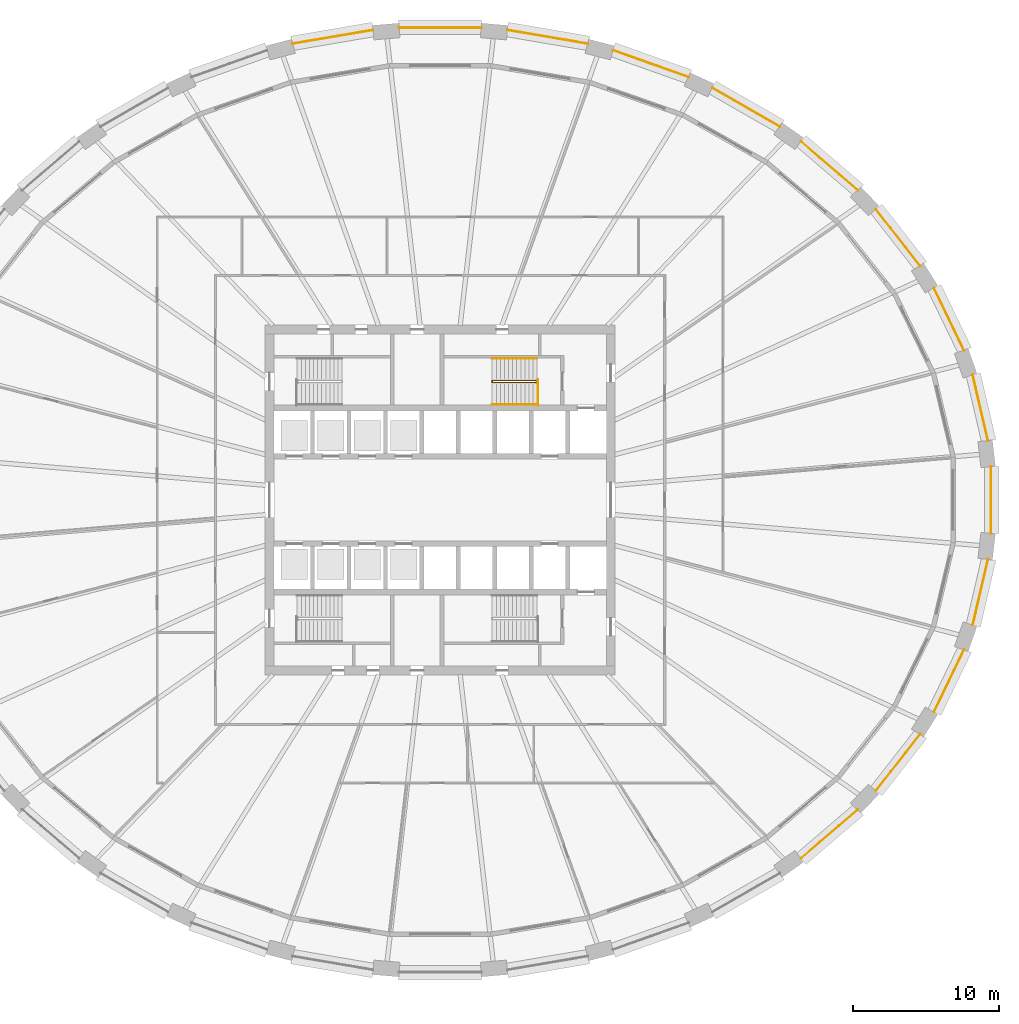
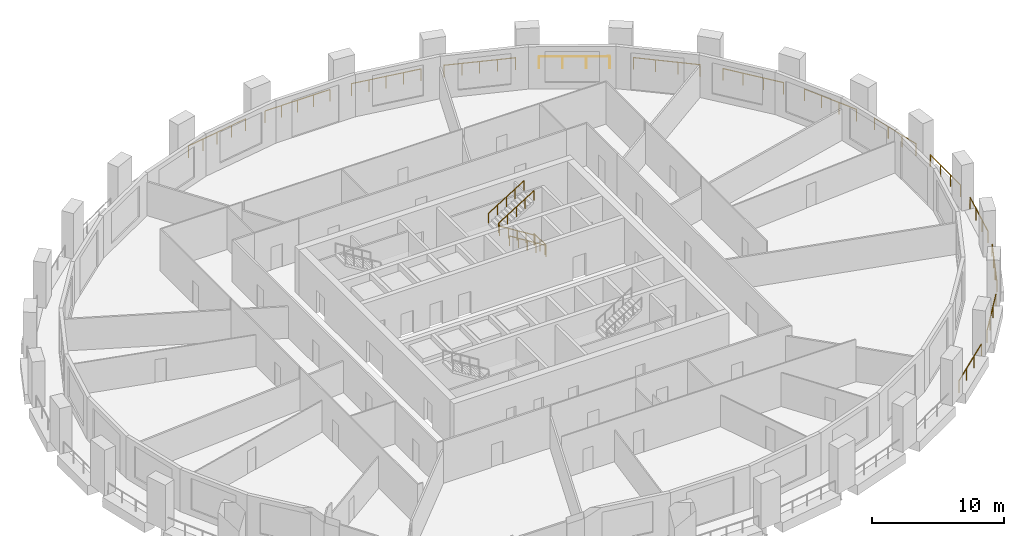
# One storey, part 11 of 12: 18 railings.
"""IFC4 building model written with IfcOpenShell, lengths in metres."""

import ifcopenshell
import ifcopenshell.guid

model = None  # the IFC model being written
_history = None  # IfcOwnerHistory: only IFC2X3 demands one
_inside = {}  # id of a spatial element -> (the spatial element, [elements in it])
_under = {}  # id of a project, library or spatial element -> (it, [spatial elements below it])
_declared = {}  # id of a project -> (the project, [libraries it declares])
_typed = {}  # id of a type object -> (the type object, [elements of that type])
_made_of = {}  # id of a material, layer set ... -> (it, [elements and type objects made of it])


def new_model(schema):
    """Start an empty IFC model of exactly this schema.

    Asked for "IFC4X3", IfcOpenShell would pick the latest addendum, in which some entities
    have other attributes; the version numbers below select the first issue.
    IFC2X3 requires an IfcOwnerHistory on every rooted entity: one is made here for all.
    """
    global model, _history
    if schema == "IFC4X3":
        model = ifcopenshell.file(schema_version=(4, 3, 0, 0))
    else:
        model = ifcopenshell.file(schema=schema)
    _inside.clear()
    _under.clear()
    _declared.clear()
    _typed.clear()
    _made_of.clear()
    _history = None
    if model.schema == "IFC2X3":
        org = make("IfcOrganization", Name="unknown")
        user = make(
            "IfcPersonAndOrganization",
            ThePerson=make("IfcPerson", FamilyName="unknown"),
            TheOrganization=org,
        )
        app = make(
            "IfcApplication",
            ApplicationDeveloper=org,
            Version="unknown",
            ApplicationFullName="unknown",
            ApplicationIdentifier="unknown",
        )
        _history = make(
            "IfcOwnerHistory",
            OwningUser=user,
            OwningApplication=app,
            ChangeAction="ADDED",
            CreationDate=0,
        )
    return model


def make(cls, **values):
    """One entity of the class cls with the attributes given. An attribute that is None is left unset."""
    return model.create_entity(
        cls, **{name: value for name, value in values.items() if value is not None}
    )


def rooted(cls, **values):
    """An entity with a GlobalId (a new one), such as an element, a storey or a relation."""
    return make(cls, GlobalId=ifcopenshell.guid.new(), OwnerHistory=_history, **values)


def si_unit(unit_type, name, prefix=None):
    """IfcSIUnit, for example si_unit("LENGTHUNIT", "METRE", prefix="MILLI")."""
    return make("IfcSIUnit", UnitType=unit_type, Prefix=prefix, Name=name)


def assignment(units):
    """IfcUnitAssignment: the units of a project."""
    return None if units is None else make("IfcUnitAssignment", Units=units)


def point(xyz):
    """IfcCartesianPoint."""
    return None if xyz is None else make("IfcCartesianPoint", Coordinates=xyz)


def direction(xyz):
    """IfcDirection."""
    return None if xyz is None else make("IfcDirection", DirectionRatios=xyz)


def frame(location, z_axis=None, x_axis=None):
    """IfcAxis2Placement3D, a coordinate frame: its origin and axes. An axis left out is left unset."""
    return make(
        "IfcAxis2Placement3D",
        Location=point(location),
        Axis=direction(z_axis),
        RefDirection=direction(x_axis),
    )


def frame_2d(location, x_axis=None):
    """IfcAxis2Placement2D, a coordinate frame in the plane: its origin and x axis."""
    return make(
        "IfcAxis2Placement2D", Location=point(location), RefDirection=direction(x_axis)
    )


def origin():
    """The frame at (0, 0, 0) with its axes left unset."""
    return frame((0.0, 0.0, 0.0))


def origin_2d():
    """The frame at (0, 0) in the plane with its x axis left unset."""
    return frame_2d((0.0, 0.0))


def place(relative_to, where):
    """IfcLocalPlacement: puts the frame where relative to a parent placement (None: the world)."""
    return make(
        "IfcLocalPlacement", PlacementRelTo=relative_to, RelativePlacement=where
    )


def context(
    kind, dimensions, precision=None, world=None, true_north=None, identifier=None
):
    """IfcGeometricRepresentationContext, for example the 3D "Model" context."""
    return make(
        "IfcGeometricRepresentationContext",
        ContextIdentifier=identifier,
        ContextType=kind,
        CoordinateSpaceDimension=dimensions,
        Precision=precision,
        WorldCoordinateSystem=world,
        TrueNorth=true_north,
    )


def subcontext(parent, identifier, kind, view, scale=None):
    """IfcGeometricRepresentationSubContext, for example "Body" below "Model"."""
    return make(
        "IfcGeometricRepresentationSubContext",
        ContextIdentifier=identifier,
        ContextType=kind,
        ParentContext=parent,
        TargetScale=scale,
        TargetView=view,
    )


def project(units=None, contexts=None):
    """IfcProject with its units and contexts."""
    return rooted(
        "IfcProject",
        Name="project",
        RepresentationContexts=contexts,
        UnitsInContext=assignment(units),
    )


def spatial(cls, under=None, at=None, **own):
    """A site, building, storey or space (cls), placed at a placement, below another one or the project."""
    s = rooted(cls, ObjectPlacement=at, **own)
    if under is not None:
        _under.setdefault(under.id(), (under, []))[1].append(s)
    return s


def profile(cls, at=None, kind="AREA", **sizes):
    """A parametric profile (cls). Its sizes go by their IFC names, for example OverallWidth=200.0."""
    return make(cls, ProfileType=kind, Position=at, **sizes)


def circle(**sizes):
    """IfcCircleProfileDef."""
    return profile("IfcCircleProfileDef", **sizes)


def extrude(swept, where, along, depth):
    """IfcExtrudedAreaSolid: the profile swept, set in the frame where, extruded along a direction by depth."""
    return make(
        "IfcExtrudedAreaSolid",
        SweptArea=swept,
        Position=where,
        ExtrudedDirection=direction(along),
        Depth=depth,
    )


def shape(context_of_items, identifier, shape_type, items):
    """IfcShapeRepresentation: the items that make up one representation, for example the "Body"."""
    return make(
        "IfcShapeRepresentation",
        ContextOfItems=context_of_items,
        RepresentationIdentifier=identifier,
        RepresentationType=shape_type,
        Items=items,
    )


def material(Name=None, Category=None):
    """IfcMaterial."""
    return make("IfcMaterial", Name=Name, Category=Category)


def made_of(thing, what):
    """Note that an element or type object is made of a material, layer set ...; save() writes the relation."""
    if what is not None:
        _made_of.setdefault(what.id(), (what, []))[1].append(thing)
    return thing


def type_object(cls, material=None, **own):
    """A type object (cls), such as IfcWallType, which elements share."""
    return made_of(rooted(cls, **own), material)


def element(
    cls,
    number,
    at=None,
    inside=None,
    cuts=None,
    type_object=None,
    material=None,
    context=None,
    identifier="Body",
    shape_type=None,
    held_by="IfcProductDefinitionShape",
    body=None,
    shapes=None,
    **own,
):
    """One element of the class cls, such as IfcWall. Its Tag is "e" and its number.

    at: its placement. inside: the storey or other place that contains it. cuts: it is an
    opening in that element (IfcRelVoidsElement). A single representation is given by context,
    identifier, shape_type and body (its items); several are given by shapes. held_by: the class
    of the entity that holds the representations. save() writes the other relations.
    """
    e = rooted(cls, Tag="e%d" % number, ObjectPlacement=at, **own)
    if body is not None:
        shapes = [shape(context, identifier, shape_type, body)]
    if shapes is not None:
        e.Representation = make(held_by, Representations=shapes)
    if inside is not None:
        _inside.setdefault(inside.id(), (inside, []))[1].append(e)
    if cuts is not None:
        rooted(
            "IfcRelVoidsElement", RelatingBuildingElement=cuts, RelatedOpeningElement=e
        )
    if type_object is not None:
        _typed.setdefault(type_object.id(), (type_object, []))[1].append(e)
    return made_of(e, material)


def aggregate(whole, parts):
    """IfcRelAggregates: a whole, such as a stair, and the parts it consists of."""
    return rooted("IfcRelAggregates", RelatingObject=whole, RelatedObjects=parts)


def save(model, path):
    """Write the relations noted so far, then the file.

    IfcRelAggregates (storeys below a building ...), IfcRelContainedInSpatialStructure (elements
    in a storey), IfcRelDefinesByType, IfcRelAssociatesMaterial and IfcRelDeclares: one each for
    every whole, place, type object, material and project.
    """
    for whole, parts in _under.values():
        aggregate(whole, parts)
    for where, things in _inside.values():
        rooted(
            "IfcRelContainedInSpatialStructure",
            RelatedElements=things,
            RelatingStructure=where,
        )
    for kind, things in _typed.values():
        rooted("IfcRelDefinesByType", RelatedObjects=things, RelatingType=kind)
    for what, things in _made_of.values():
        rooted("IfcRelAssociatesMaterial", RelatedObjects=things, RelatingMaterial=what)
    for by, libraries in _declared.values():
        rooted("IfcRelDeclares", RelatingContext=by, RelatedDefinitions=libraries)
    model.write(path)


model = new_model("IFC4")

# Units and contexts
model_context = context("Model", 3, precision=1e-05, world=origin(), true_north=direction((0.0, 1.0)))
body_context = subcontext(model_context, "Body", "Model", "MODEL_VIEW")
ifc_project = project(units=[si_unit("LENGTHUNIT", "METRE"), si_unit("AREAUNIT", "SQUARE_METRE"), si_unit("VOLUMEUNIT", "CUBIC_METRE"), si_unit("PLANEANGLEUNIT", "RADIAN"), si_unit("MASSUNIT", "GRAM", prefix="KILO")], contexts=[model_context])

# Site, building, storey
site_placement = place(None, origin())
site = spatial("IfcSite", under=ifc_project, at=site_placement, CompositionType="ELEMENT")
building_placement = place(site_placement, origin())
building = spatial("IfcBuilding", under=site, at=building_placement, Name="Halqa Exchange Tower", CompositionType="ELEMENT")
storey_placement = place(building_placement, frame((0.0, 0.0, 31.89990234375)))
storey = spatial("IfcBuildingStorey", under=building, at=storey_placement, Name="L06", CompositionType="ELEMENT", Elevation=31.89990234375)

# Railings
ifc_material = material(Name="Stainless steel", Category="steel")
railing_type_1 = type_object("IfcRailingType", Name="Guard 1100 stainless steel", PredefinedType="GUARDRAIL", material=ifc_material)
railing_1_placement = place(storey_placement, frame((37.569091796875, 4.0654296875, 0.0)))
element("IfcRailing", 1, at=railing_1_placement, inside=storey, type_object=railing_type_1, Name="Loggia guard 1", PredefinedType="GUARDRAIL", context=body_context, shape_type="SweptSolid", body=[
    extrude(circle(Radius=0.02392578125, at=origin_2d()), frame((0.0, 0.0, 1.076171875), z_axis=(-0.226055410226, 0.974114444769, 0.0), x_axis=(-0.974114444769, -0.226055410226, 0.0)), (0.0, 0.0, 1.0), 4.621337890625),
    extrude(circle(Radius=0.02099609375, at=origin_2d()), origin(), (0.0, 0.0, 1.0), 1.052001953125),
    extrude(circle(Radius=0.02099609375, at=origin_2d()), frame((-0.34814453125, 1.50048828125, 0.0)), (0.0, 0.0, 1.0), 1.052001953125),
    extrude(circle(Radius=0.02099609375, at=origin_2d()), frame((-0.696533203125, 3.001220703125, 0.0)), (0.0, 0.0, 1.0), 1.052001953125),
    extrude(circle(Radius=0.02099609375, at=origin_2d()), frame((-1.044677734375, 4.501708984375, 0.0)), (0.0, 0.0, 1.0), 1.052001953125),
])
railing_2_placement = place(storey_placement, frame((35.92919921875, 10.254150390625, 0.0)))
element("IfcRailing", 2, at=railing_2_placement, inside=storey, type_object=railing_type_1, Name="Loggia guard 2", PredefinedType="GUARDRAIL", context=body_context, shape_type="SweptSolid", body=[
    extrude(circle(Radius=0.02392578125, at=origin_2d()), frame((0.0, 0.0, 1.076171875), z_axis=(-0.435110256582, 0.900377179085, 0.0), x_axis=(-0.900377179085, -0.435110256582, 0.0)), (0.0, 0.0, 1.0), 4.744140625),
    extrude(circle(Radius=0.02099609375, at=origin_2d()), origin(), (0.0, 0.0, 1.0), 1.052001953125),
    extrude(circle(Radius=0.02099609375, at=origin_2d()), frame((-0.68798828125, 1.423828125, 0.0)), (0.0, 0.0, 1.0), 1.052001953125),
    extrude(circle(Radius=0.02099609375, at=origin_2d()), frame((-1.376220703125, 2.84765625, 0.0)), (0.0, 0.0, 1.0), 1.052001953125),
    extrude(circle(Radius=0.02099609375, at=origin_2d()), frame((-2.064208984375, 4.271484375, 0.0)), (0.0, 0.0, 1.0), 1.052001953125),
])
railing_3_placement = place(storey_placement, frame((32.920166015625, 16.0458984375, 0.0)))
element("IfcRailing", 3, at=railing_3_placement, inside=storey, type_object=railing_type_1, Name="Loggia guard 3", PredefinedType="GUARDRAIL", context=body_context, shape_type="SweptSolid", body=[
    extrude(circle(Radius=0.02392578125, at=origin_2d()), frame((0.0, 0.0, 1.076171875), z_axis=(-0.614819052707, 0.788668201735, 0.0), x_axis=(-0.788668201735, -0.614819052707, 0.0)), (0.0, 0.0, 1.0), 4.923583984375),
    extrude(circle(Radius=0.02099609375, at=origin_2d()), origin(), (0.0, 0.0, 1.0), 1.052001953125),
    extrude(circle(Radius=0.02099609375, at=origin_2d()), frame((-1.009033203125, 1.29443359375, 0.0)), (0.0, 0.0, 1.0), 1.052001953125),
    extrude(circle(Radius=0.02099609375, at=origin_2d()), frame((-2.01806640625, 2.588623046875, 0.0)), (0.0, 0.0, 1.0), 1.052001953125),
    extrude(circle(Radius=0.02099609375, at=origin_2d()), frame((-3.027099609375, 3.883056640625, 0.0)), (0.0, 0.0, 1.0), 1.052001953125),
])
railing_4_placement = place(storey_placement, frame((28.656494140625, 21.224365234375, 0.0)))
element("IfcRailing", 4, at=railing_4_placement, inside=storey, type_object=railing_type_1, Name="Loggia guard 4", PredefinedType="GUARDRAIL", context=body_context, shape_type="SweptSolid", body=[
    extrude(circle(Radius=0.02392578125, at=origin_2d()), frame((0.0, 0.0, 1.076171875), z_axis=(-0.759280119309, 0.650763936019, 0.0), x_axis=(-0.650763936019, -0.759280119309, 0.0)), (0.0, 0.0, 1.0), 5.129638671875),
    extrude(circle(Radius=0.02099609375, at=origin_2d()), origin(), (0.0, 0.0, 1.0), 1.052001953125),
    extrude(circle(Radius=0.02099609375, at=origin_2d()), frame((-1.29833984375, 1.11279296875, 0.0)), (0.0, 0.0, 1.0), 1.052001953125),
    extrude(circle(Radius=0.02099609375, at=origin_2d()), frame((-2.596435546875, 2.225341796875, 0.0)), (0.0, 0.0, 1.0), 1.052001953125),
    extrude(circle(Radius=0.02099609375, at=origin_2d()), frame((-3.894775390625, 3.338134765625, 0.0)), (0.0, 0.0, 1.0), 1.052001953125),
])
railing_5_placement = place(storey_placement, frame((23.297607421875, 25.595703125, 0.0)))
element("IfcRailing", 5, at=railing_5_placement, inside=storey, type_object=railing_type_1, Name="Loggia guard 5", PredefinedType="GUARDRAIL", context=body_context, shape_type="SweptSolid", body=[
    extrude(circle(Radius=0.02392578125, at=origin_2d()), frame((0.0, 0.0, 1.076171875), z_axis=(-0.867769121882, 0.496967555389, 0.0), x_axis=(-0.496967555389, -0.867769121882, 0.0)), (0.0, 0.0, 1.0), 5.3291015625),
    extrude(circle(Radius=0.02099609375, at=origin_2d()), origin(), (0.0, 0.0, 1.0), 1.052001953125),
    extrude(circle(Radius=0.02099609375, at=origin_2d()), frame((-1.54150390625, 0.8828125, 0.0)), (0.0, 0.0, 1.0), 1.052001953125),
    extrude(circle(Radius=0.02099609375, at=origin_2d()), frame((-3.0830078125, 1.765625, 0.0)), (0.0, 0.0, 1.0), 1.052001953125),
    extrude(circle(Radius=0.02099609375, at=origin_2d()), frame((-4.62451171875, 2.6484375, 0.0)), (0.0, 0.0, 1.0), 1.052001953125),
])
railing_6_placement = place(storey_placement, frame((17.043701171875, 28.99267578125, 0.0)))
element("IfcRailing", 6, at=railing_6_placement, inside=storey, type_object=railing_type_1, Name="Loggia guard 6", PredefinedType="GUARDRAIL", context=body_context, shape_type="SweptSolid", body=[
    extrude(circle(Radius=0.02392578125, at=origin_2d()), frame((0.0, 0.0, 1.076171875), z_axis=(-0.942363581705, 0.334590615345, 0.0), x_axis=(-0.334590615345, -0.942363581705, 0.0)), (0.0, 0.0, 1.0), 5.494384765625),
    extrude(circle(Radius=0.02099609375, at=origin_2d()), origin(), (0.0, 0.0, 1.0), 1.052001953125),
    extrude(circle(Radius=0.02099609375, at=origin_2d()), frame((-1.29443359375, 0.45947265625, 0.0)), (0.0, 0.0, 1.0), 1.052001953125),
    extrude(circle(Radius=0.02099609375, at=origin_2d()), frame((-2.5888671875, 0.919189453125, 0.0)), (0.0, 0.0, 1.0), 1.052001953125),
    extrude(circle(Radius=0.02099609375, at=origin_2d()), frame((-3.88330078125, 1.37890625, 0.0)), (0.0, 0.0, 1.0), 1.052001953125),
    extrude(circle(Radius=0.02099609375, at=origin_2d()), frame((-5.177734375, 1.83837890625, 0.0)), (0.0, 0.0, 1.0), 1.052001953125),
])
railing_7_placement = place(storey_placement, frame((10.130615234375, 31.283447265625, 0.0)))
element("IfcRailing", 7, at=railing_7_placement, inside=storey, type_object=railing_type_1, Name="Loggia guard 7", PredefinedType="GUARDRAIL", context=body_context, shape_type="SweptSolid", body=[
    extrude(circle(Radius=0.02392578125, at=origin_2d()), frame((0.0, 0.0, 1.076171875), z_axis=(-0.985775892081, 0.168065137946, 0.0), x_axis=(-0.168065137946, -0.985775892081, 0.0)), (0.0, 0.0, 1.0), 5.602783203125),
    extrude(circle(Radius=0.02099609375, at=origin_2d()), origin(), (0.0, 0.0, 1.0), 1.052001953125),
    extrude(circle(Radius=0.02099609375, at=origin_2d()), frame((-1.380859375, 0.2353515625, 0.0)), (0.0, 0.0, 1.0), 1.052001953125),
    extrude(circle(Radius=0.02099609375, at=origin_2d()), frame((-2.76171875, 0.470703125, 0.0)), (0.0, 0.0, 1.0), 1.052001953125),
    extrude(circle(Radius=0.02099609375, at=origin_2d()), frame((-4.142333984375, 0.706298828125, 0.0)), (0.0, 0.0, 1.0), 1.052001953125),
    extrude(circle(Radius=0.02099609375, at=origin_2d()), frame((-5.523193359375, 0.941650390625, 0.0)), (0.0, 0.0, 1.0), 1.052001953125),
])
railing_8_placement = place(storey_placement, frame((2.8203125, 32.37646484375, 0.0)))
element("IfcRailing", 8, at=railing_8_placement, inside=storey, type_object=railing_type_1, Name="Loggia guard 8", PredefinedType="GUARDRAIL", context=body_context, shape_type="SweptSolid", body=[
    extrude(circle(Radius=0.02392578125, at=origin_2d()), frame((0.0, 0.0, 1.076171875), z_axis=(-1.0, 0.0, 0.0), x_axis=(0.0, -1.0, 0.0)), (0.0, 0.0, 1.0), 5.640625),
    extrude(circle(Radius=0.02099609375, at=origin_2d()), origin(), (0.0, 0.0, 1.0), 1.052001953125),
    extrude(circle(Radius=0.02099609375, at=origin_2d()), frame((-1.41015625, 0.0, 0.0)), (0.0, 0.0, 1.0), 1.052001953125),
    extrude(circle(Radius=0.02099609375, at=origin_2d()), frame((-2.8203125, 0.0, 0.0)), (0.0, 0.0, 1.0), 1.052001953125),
    extrude(circle(Radius=0.02099609375, at=origin_2d()), frame((-4.23046875, 0.0, 0.0)), (0.0, 0.0, 1.0), 1.052001953125),
    extrude(circle(Radius=0.02099609375, at=origin_2d()), frame((-5.640625, 0.0, 0.0)), (0.0, 0.0, 1.0), 1.052001953125),
])
railing_9_placement = place(storey_placement, frame((-4.607421875, 32.22509765625, 0.0)))
element("IfcRailing", 9, at=railing_9_placement, inside=storey, type_object=railing_type_1, Name="Loggia guard 9", PredefinedType="GUARDRAIL", context=body_context, shape_type="SweptSolid", body=[
    extrude(circle(Radius=0.02392578125, at=origin_2d()), frame((0.0, 0.0, 1.076171875), z_axis=(-0.985775892081, -0.168065137946, 0.0), x_axis=(0.168065137946, -0.985775892081, 0.0)), (0.0, 0.0, 1.0), 5.602783203125),
    extrude(circle(Radius=0.02099609375, at=origin_2d()), origin(), (0.0, 0.0, 1.0), 1.052001953125),
    extrude(circle(Radius=0.02099609375, at=origin_2d()), frame((-1.380859375, -0.2353515625, 0.0)), (0.0, 0.0, 1.0), 1.052001953125),
    extrude(circle(Radius=0.02099609375, at=origin_2d()), frame((-2.76171875, -0.470703125, 0.0)), (0.0, 0.0, 1.0), 1.052001953125),
    extrude(circle(Radius=0.02099609375, at=origin_2d()), frame((-4.142333984375, -0.706298828125, 0.0)), (0.0, 0.0, 1.0), 1.052001953125),
    extrude(circle(Radius=0.02099609375, at=origin_2d()), frame((-5.523193359375, -0.941650390625, 0.0)), (0.0, 0.0, 1.0), 1.052001953125),
])
railing_10_placement = place(storey_placement, frame((24.76171875, -24.5625, 0.0)))
element("IfcRailing", 10, at=railing_10_placement, inside=storey, type_object=railing_type_1, Name="Loggia guard 28", PredefinedType="GUARDRAIL", context=body_context, shape_type="SweptSolid", body=[
    extrude(circle(Radius=0.02392578125, at=origin_2d()), frame((0.0, 0.0, 1.076171875), z_axis=(0.759280119309, 0.650763936019, 0.0), x_axis=(-0.650763936019, 0.759280119309, 0.0)), (0.0, 0.0, 1.0), 5.129638671875),
    extrude(circle(Radius=0.02099609375, at=origin_2d()), origin(), (0.0, 0.0, 1.0), 1.052001953125),
    extrude(circle(Radius=0.02099609375, at=origin_2d()), frame((1.29833984375, 1.11279296875, 0.0)), (0.0, 0.0, 1.0), 1.052001953125),
    extrude(circle(Radius=0.02099609375, at=origin_2d()), frame((2.596435546875, 2.225341796875, 0.0)), (0.0, 0.0, 1.0), 1.052001953125),
    extrude(circle(Radius=0.02099609375, at=origin_2d()), frame((3.894775390625, 3.338134765625, 0.0)), (0.0, 0.0, 1.0), 1.052001953125),
])
railing_11_placement = place(storey_placement, frame((29.89306640625, -19.928955078125, 0.0)))
element("IfcRailing", 11, at=railing_11_placement, inside=storey, type_object=railing_type_1, Name="Loggia guard 29", PredefinedType="GUARDRAIL", context=body_context, shape_type="SweptSolid", body=[
    extrude(circle(Radius=0.02392578125, at=origin_2d()), frame((0.0, 0.0, 1.076171875), z_axis=(0.614819052707, 0.788668201735, 0.0), x_axis=(-0.788668201735, 0.614819052707, 0.0)), (0.0, 0.0, 1.0), 4.923583984375),
    extrude(circle(Radius=0.02099609375, at=origin_2d()), origin(), (0.0, 0.0, 1.0), 1.052001953125),
    extrude(circle(Radius=0.02099609375, at=origin_2d()), frame((1.009033203125, 1.29443359375, 0.0)), (0.0, 0.0, 1.0), 1.052001953125),
    extrude(circle(Radius=0.02099609375, at=origin_2d()), frame((2.01806640625, 2.588623046875, 0.0)), (0.0, 0.0, 1.0), 1.052001953125),
    extrude(circle(Radius=0.02099609375, at=origin_2d()), frame((3.027099609375, 3.883056640625, 0.0)), (0.0, 0.0, 1.0), 1.052001953125),
])
railing_12_placement = place(storey_placement, frame((33.864990234375, -14.525634765625, 0.0)))
element("IfcRailing", 12, at=railing_12_placement, inside=storey, type_object=railing_type_1, Name="Loggia guard 30", PredefinedType="GUARDRAIL", context=body_context, shape_type="SweptSolid", body=[
    extrude(circle(Radius=0.02392578125, at=origin_2d()), frame((0.0, 0.0, 1.076171875), z_axis=(0.435110256582, 0.900377179085, 0.0), x_axis=(-0.900377179085, 0.435110256582, 0.0)), (0.0, 0.0, 1.0), 4.744140625),
    extrude(circle(Radius=0.02099609375, at=origin_2d()), origin(), (0.0, 0.0, 1.0), 1.052001953125),
    extrude(circle(Radius=0.02099609375, at=origin_2d()), frame((0.68798828125, 1.423828125, 0.0)), (0.0, 0.0, 1.0), 1.052001953125),
    extrude(circle(Radius=0.02099609375, at=origin_2d()), frame((1.376220703125, 2.84765625, 0.0)), (0.0, 0.0, 1.0), 1.052001953125),
    extrude(circle(Radius=0.02099609375, at=origin_2d()), frame((2.064208984375, 4.271484375, 0.0)), (0.0, 0.0, 1.0), 1.052001953125),
])
railing_13_placement = place(storey_placement, frame((36.5244140625, -8.567138671875, 0.0)))
element("IfcRailing", 13, at=railing_13_placement, inside=storey, type_object=railing_type_1, Name="Loggia guard 31", PredefinedType="GUARDRAIL", context=body_context, shape_type="SweptSolid", body=[
    extrude(circle(Radius=0.02392578125, at=origin_2d()), frame((0.0, 0.0, 1.076171875), z_axis=(0.226055410226, 0.974114444769, 0.0), x_axis=(-0.974114444769, 0.226055410226, 0.0)), (0.0, 0.0, 1.0), 4.621337890625),
    extrude(circle(Radius=0.02099609375, at=origin_2d()), origin(), (0.0, 0.0, 1.0), 1.052001953125),
    extrude(circle(Radius=0.02099609375, at=origin_2d()), frame((0.34814453125, 1.50048828125, 0.0)), (0.0, 0.0, 1.0), 1.052001953125),
    extrude(circle(Radius=0.02099609375, at=origin_2d()), frame((0.696533203125, 3.001220703125, 0.0)), (0.0, 0.0, 1.0), 1.052001953125),
    extrude(circle(Radius=0.02099609375, at=origin_2d()), frame((1.044677734375, 4.501708984375, 0.0)), (0.0, 0.0, 1.0), 1.052001953125),
])
railing_14_placement = place(storey_placement, frame((37.7724609375, -2.288818359375, 0.0)))
element("IfcRailing", 14, at=railing_14_placement, inside=storey, type_object=railing_type_1, Name="Loggia guard 32", PredefinedType="GUARDRAIL", context=body_context, shape_type="SweptSolid", body=[
    extrude(circle(Radius=0.02392578125, at=origin_2d()), frame((0.0, 0.0, 1.076171875), z_axis=(0.0, 1.0, 0.0), x_axis=(-1.0, 0.0, 0.0)), (0.0, 0.0, 1.0), 4.57763671875),
    extrude(circle(Radius=0.02099609375, at=origin_2d()), origin(), (0.0, 0.0, 1.0), 1.052001953125),
    extrude(circle(Radius=0.02099609375, at=origin_2d()), frame((0.0, 1.52587890625, 0.0)), (0.0, 0.0, 1.0), 1.052001953125),
    extrude(circle(Radius=0.02099609375, at=origin_2d()), frame((0.0, 3.0517578125, 0.0)), (0.0, 0.0, 1.0), 1.052001953125),
    extrude(circle(Radius=0.02099609375, at=origin_2d()), frame((0.0, 4.57763671875, 0.0)), (0.0, 0.0, 1.0), 1.052001953125),
])
railing_type_2 = type_object("IfcRailingType", Name="Stair handrail 900", PredefinedType="HANDRAIL", material=ifc_material)
railing_15_placement = place(storey_placement, frame((6.64990234375, 8.06005859375, 0.175048828125)))
element("IfcRailing", 15, at=railing_15_placement, inside=storey, type_object=railing_type_2, Name="Handrail ST2.1", PredefinedType="HANDRAIL", context=body_context, shape_type="SweptSolid", body=[
    extrude(circle(Radius=0.02392578125, at=origin_2d()), frame((0.0, 0.0, 0.8759765625), z_axis=(-0.847979421464, 0.0, 0.530029150871), x_axis=(0.0, -1.0, 0.0)), (0.0, 0.0, 1.0), 3.632080078125),
    extrude(circle(Radius=0.02392578125, at=origin_2d()), frame((-3.079833984375, 0.0, 2.80078125), z_axis=(0.0, 0.595870227118, 0.803080738428), x_axis=(-1.0, 0.0, 0.0)), (0.0, 0.0, 1.0), 0.218017578125),
    extrude(circle(Radius=0.02392578125, at=origin_2d()), frame((-3.079833984375, 0.1298828125, 2.97607421875), z_axis=(0.847979421464, 0.0, 0.530029150871), x_axis=(0.0, 1.0, 0.0)), (0.0, 0.0, 1.0), 3.632080078125),
    extrude(circle(Radius=0.02099609375, at=origin_2d()), origin(), (0.0, 0.0, 1.0), 0.851806640625),
    extrude(circle(Radius=0.02099609375, at=origin_2d()), frame((-0.77001953125, 0.0, 0.481201171875)), (0.0, 0.0, 1.0), 0.851806640625),
    extrude(circle(Radius=0.02099609375, at=origin_2d()), frame((-1.5400390625, 0.0, 0.96240234375)), (0.0, 0.0, 1.0), 0.851806640625),
    extrude(circle(Radius=0.02099609375, at=origin_2d()), frame((-2.309814453125, 0.0, 1.44384765625)), (0.0, 0.0, 1.0), 0.851806640625),
    extrude(circle(Radius=0.02099609375, at=origin_2d()), frame((-3.079833984375, 0.0, 1.925048828125)), (0.0, 0.0, 1.0), 0.851806640625),
    extrude(circle(Radius=0.02099609375, at=origin_2d()), frame((-3.079833984375, 0.1298828125, 2.10009765625)), (0.0, 0.0, 1.0), 0.851806640625),
    extrude(circle(Radius=0.02099609375, at=origin_2d()), frame((-2.309814453125, 0.1298828125, 2.581298828125)), (0.0, 0.0, 1.0), 0.851806640625),
    extrude(circle(Radius=0.02099609375, at=origin_2d()), frame((-1.5400390625, 0.1298828125, 3.0625)), (0.0, 0.0, 1.0), 0.851806640625),
    extrude(circle(Radius=0.02099609375, at=origin_2d()), frame((-0.77001953125, 0.1298828125, 3.5439453125)), (0.0, 0.0, 1.0), 0.851806640625),
    extrude(circle(Radius=0.02099609375, at=origin_2d()), frame((0.0, 0.1298828125, 4.025146484375)), (0.0, 0.0, 1.0), 0.851806640625),
])
railing_16_placement = place(storey_placement, frame((6.64990234375, 6.550048828125, 0.175048828125)))
element("IfcRailing", 16, at=railing_16_placement, inside=storey, type_object=railing_type_2, Name="Handrail ST2.2", PredefinedType="HANDRAIL", context=body_context, shape_type="SweptSolid", body=[
    extrude(circle(Radius=0.02392578125, at=origin_2d()), frame((0.0, 0.0, 0.8759765625), z_axis=(-0.847979421464, 0.0, 0.530029150871), x_axis=(0.0, -1.0, 0.0)), (0.0, 0.0, 1.0), 3.632080078125),
    extrude(circle(Radius=0.02099609375, at=origin_2d()), origin(), (0.0, 0.0, 1.0), 0.851806640625),
    extrude(circle(Radius=0.02099609375, at=origin_2d()), frame((-0.77001953125, 0.0, 0.481201171875)), (0.0, 0.0, 1.0), 0.851806640625),
    extrude(circle(Radius=0.02099609375, at=origin_2d()), frame((-1.5400390625, 0.0, 0.96240234375)), (0.0, 0.0, 1.0), 0.851806640625),
    extrude(circle(Radius=0.02099609375, at=origin_2d()), frame((-2.309814453125, 0.0, 1.44384765625)), (0.0, 0.0, 1.0), 0.851806640625),
    extrude(circle(Radius=0.02099609375, at=origin_2d()), frame((-3.079833984375, 0.0, 1.925048828125)), (0.0, 0.0, 1.0), 0.851806640625),
])
railing_17_placement = place(storey_placement, frame((3.570068359375, 9.699951171875, 2.275146484375)))
element("IfcRailing", 17, at=railing_17_placement, inside=storey, type_object=railing_type_2, Name="Handrail ST2.3", PredefinedType="HANDRAIL", context=body_context, shape_type="SweptSolid", body=[
    extrude(circle(Radius=0.02392578125, at=origin_2d()), frame((0.0, 0.0, 0.8759765625), z_axis=(0.847979421464, 0.0, 0.530029150871), x_axis=(0.0, 1.0, 0.0)), (0.0, 0.0, 1.0), 3.632080078125),
    extrude(circle(Radius=0.02099609375, at=origin_2d()), origin(), (0.0, 0.0, 1.0), 0.851806640625),
    extrude(circle(Radius=0.02099609375, at=origin_2d()), frame((0.77001953125, 0.0, 0.481201171875)), (0.0, 0.0, 1.0), 0.851806640625),
    extrude(circle(Radius=0.02099609375, at=origin_2d()), frame((1.5400390625, 0.0, 0.96240234375)), (0.0, 0.0, 1.0), 0.851806640625),
    extrude(circle(Radius=0.02099609375, at=origin_2d()), frame((2.309814453125, 0.0, 1.44384765625)), (0.0, 0.0, 1.0), 0.851806640625),
    extrude(circle(Radius=0.02099609375, at=origin_2d()), frame((3.079833984375, 0.0, 1.925048828125)), (0.0, 0.0, 1.0), 0.851806640625),
])
railing_type_3 = type_object("IfcRailingType", Name="Stair well guard 1100", PredefinedType="GUARDRAIL", material=ifc_material)
railing_18_placement = place(storey_placement, frame((6.699951171875, 6.5, 0.0)))
element("IfcRailing", 18, at=railing_18_placement, inside=storey, type_object=railing_type_3, Name="Guard ST2 well", PredefinedType="GUARDRAIL", context=body_context, shape_type="SweptSolid", body=[
    extrude(circle(Radius=0.02392578125, at=origin_2d()), frame((0.0, 0.0, 1.076171875), z_axis=(0.0, 1.0, 0.0), x_axis=(-1.0, 0.0, 0.0)), (0.0, 0.0, 1.0), 1.75),
    extrude(circle(Radius=0.02099609375, at=origin_2d()), origin(), (0.0, 0.0, 1.0), 1.052001953125),
    extrude(circle(Radius=0.02099609375, at=origin_2d()), frame((0.0, 0.875, 0.0)), (0.0, 0.0, 1.0), 1.052001953125),
    extrude(circle(Radius=0.02099609375, at=origin_2d()), frame((0.0, 1.75, 0.0)), (0.0, 0.0, 1.0), 1.052001953125),
])

save(model, "model.ifc")
